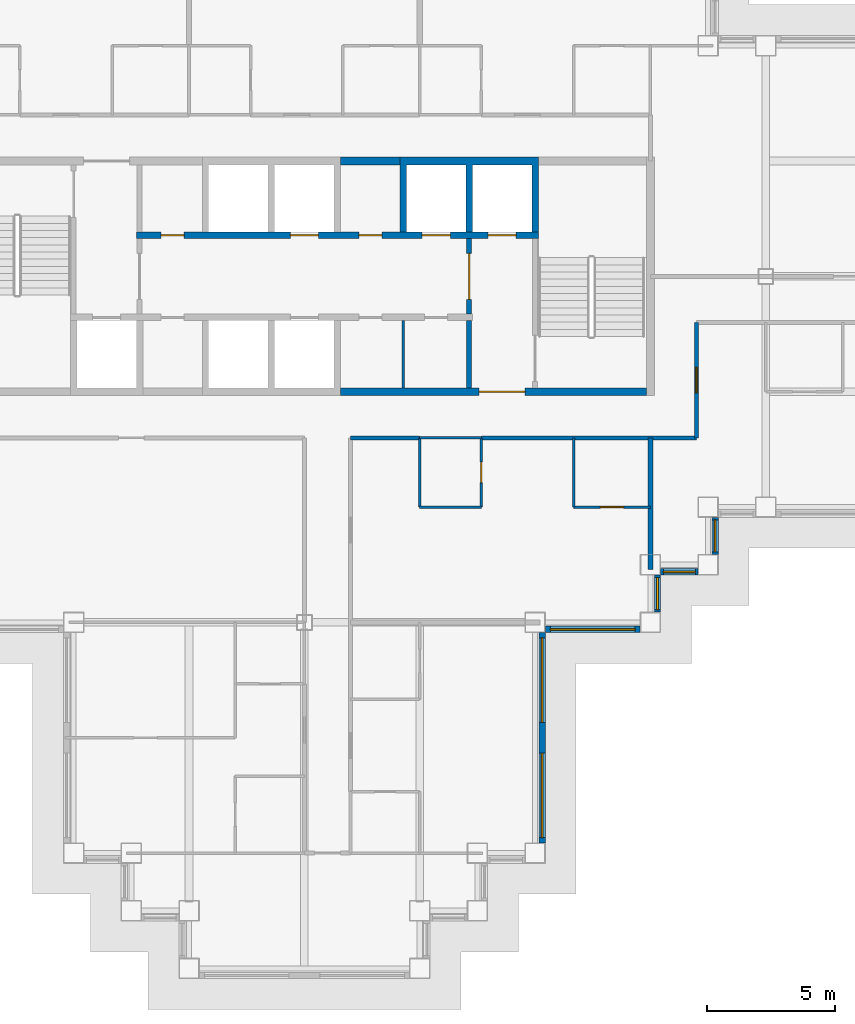
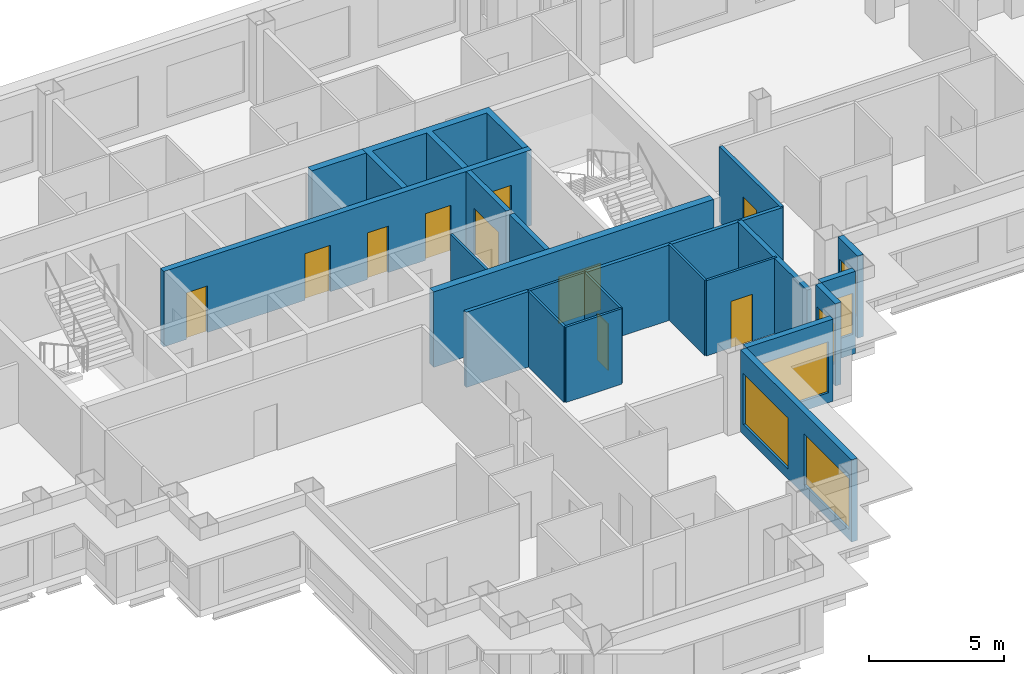
# One storey, part 6 of 13: 22 walls, 10 doors, 6 windows, 16 openings.
"""IFC4 building model written with IfcOpenShell, lengths in metres."""

from ifc_helpers import new_model, si_unit, direction, frame, frame_2d, origin, place, context, subcontext, project, spatial, polyline, rectangle, outline, extrude, material, layer, layer_set, type_object, element, fill, save


model = new_model("IFC4")

# Units and contexts
model_context = context("Model", 3, precision=1e-05, world=origin(), true_north=direction((0.0, 1.0)))
body_context = subcontext(model_context, "Body", "Model", "MODEL_VIEW")
ifc_project = project(units=[si_unit("LENGTHUNIT", "METRE"), si_unit("AREAUNIT", "SQUARE_METRE"), si_unit("VOLUMEUNIT", "CUBIC_METRE"), si_unit("PLANEANGLEUNIT", "RADIAN"), si_unit("MASSUNIT", "GRAM", prefix="KILO")], contexts=[model_context])

# Site, building, storey
site_placement = place(None, origin())
site = spatial("IfcSite", under=ifc_project, at=site_placement, CompositionType="ELEMENT")
building_placement = place(site_placement, origin())
building = spatial("IfcBuilding", under=site, at=building_placement, Name="Caravel Reach Hotel and Residences", CompositionType="ELEMENT")
storey_placement = place(building_placement, frame((0.0, 0.0, 154.300048828125)))
storey = spatial("IfcBuildingStorey", under=building, at=storey_placement, Name="L38", CompositionType="ELEMENT", Elevation=154.300048828125)

# Walls
ifc_material_1 = material(Name="Gypsum board on steel stud", Category="steel")
ifc_layer_1 = layer(ifc_material_1, 0.10009765625)
ifc_layer_set_1 = layer_set([ifc_layer_1], Name="Bathroom pod wall 100 mm")
wall_type_1 = type_object("IfcWallType", Name="Bathroom pod wall 100 mm", PredefinedType="PARTITIONING", material=ifc_layer_set_1)
for number, where, z_axis, x_axis, name in (
    (1, (36.0, 18.0, 0.0), (0.0, 0.0, 1.0), (1.0, 0.0, 0.0), "L38 wall w082"),
    (2, (36.0, 20.699951171875, 0.0), (0.0, 0.0, 1.0), (1.0, 0.0, 0.0), "L38 wall w083"),
):
    element("IfcWall", number, at=place(storey_placement, frame(where, z_axis=z_axis, x_axis=x_axis)), inside=storey, type_object=wall_type_1, Name=name, PredefinedType="PARTITIONING", context=body_context, shape_type="SweptSolid", body=[
        extrude(rectangle(XDim=2.39990234375, YDim=0.10009765625, at=frame_2d((1.199951171875, 0.0))), origin(), (0.0, 0.0, 1.0), 3.39990234375),
    ])
wall_1_placement = place(storey_placement, frame((36.0, 18.0, 0.0), z_axis=(0.0, 0.0, 1.0), x_axis=(0.0, 1.0, 0.0)))
element("IfcWall", 3, at=wall_1_placement, inside=storey, type_object=wall_type_1, Name="L38 wall w107", PredefinedType="PARTITIONING", context=body_context, shape_type="SweptSolid", body=[
    extrude(rectangle(XDim=2.698974609375, YDim=0.10009765625, at=frame_2d((1.349609375, 0.0))), origin(), (0.0, 0.0, 1.0), 3.39990234375),
])

# Wall, opening, door
wall_2_placement = place(storey_placement, frame((38.39990234375, 18.0, 0.0), z_axis=(0.0, 0.0, 1.0), x_axis=(0.0, 1.0, 0.0)))
wall_2 = element("IfcWall", 4, at=wall_2_placement, inside=storey, type_object=wall_type_1, Name="L38 wall w109", PredefinedType="PARTITIONING", context=body_context, shape_type="SweptSolid", body=[
    extrude(rectangle(XDim=2.699951171875, YDim=0.10009765625, at=frame_2d((1.35009765625, 0.0))), origin(), (0.0, 0.0, 1.0), 3.39990234375),
])
opening_1_placement = place(wall_2_placement, frame((0.949951171875, 0.0, 0.0)))
opening_1 = element("IfcOpeningElement", 5, at=opening_1_placement, cuts=wall_2, Name="Opening D38-037", PredefinedType="OPENING", context=body_context, shape_type="SweptSolid", body=[
    extrude(rectangle(XDim=0.800048828125, YDim=2.10009765625, at=frame_2d((0.39990234375, 1.050048828125))), frame((0.0, 0.06005859375, 0.0), z_axis=(0.0, -1.0, 0.0), x_axis=(1.0, 0.0, 0.0)), (0.0, 0.0, 1.0), 0.1201171875),
])
ifc_material_2 = material(Name="Timber and steel door leaf", Category="steel")
door_type_1 = type_object("IfcDoorType", Name="Bathroom door 800 x 2100", OperationType="SINGLE_SWING_LEFT", PredefinedType="DOOR", material=ifc_material_2)
door_1_placement = place(opening_1_placement, origin())
door_1 = element("IfcDoor", 6, at=door_1_placement, inside=storey, type_object=door_type_1, Name="door D38-037", OperationType="SINGLE_SWING_LEFT", OverallHeight=2.10009765625, OverallWidth=0.800048828125, PredefinedType="DOOR", context=body_context, shape_type="SweptSolid", body=[
    extrude(rectangle(XDim=0.800048828125, YDim=2.10009765625, at=frame_2d((0.39990234375, 1.050048828125))), frame((0.0, 0.02490234375, 0.0), z_axis=(0.0, -1.0, 0.0), x_axis=(1.0, 0.0, 0.0)), (0.0, 0.0, 1.0), 0.050048828125),
])
fill(opening_1, door_1)

# Wall
ifc_material_3 = material(Name="Autoclaved aerated block wall")
ifc_layer_2 = layer(ifc_material_3, 0.199951171875)
ifc_layer_set_2 = layer_set([ifc_layer_2], Name="Compartment wall 200 mm EI 120")
wall_type_2 = type_object("IfcWallType", Name="Compartment wall 200 mm EI 120", PredefinedType="PARTITIONING", material=ifc_layer_set_2)
wall_3_placement = place(storey_placement, frame((37.928466796875, 22.64990234375, 0.0), z_axis=(0.0, 0.0, 1.0), x_axis=(0.0, 1.0, 0.0)))
element("IfcWall", 7, at=wall_3_placement, inside=storey, type_object=wall_type_2, Name="L38 store partition", PredefinedType="PARTITIONING", context=body_context, shape_type="SweptSolid", body=[
    extrude(rectangle(XDim=2.625, YDim=0.199951171875, at=frame_2d((1.3125, 0.0))), origin(), (0.0, 0.0, 1.0), 3.39990234375),
])

# Wall, opening, door
ifc_material_4 = material(Name="Concrete C60", Category="concrete")
ifc_layer_3 = layer(ifc_material_4, 0.300048828125)
ifc_layer_set_3 = layer_set([ifc_layer_3], Name="Core wall 300 mm EI 120")
wall_type_3 = type_object("IfcWallType", Name="Core wall 300 mm EI 120", PredefinedType="SHEAR", material=ifc_layer_set_3)
wall_4_placement = place(storey_placement, frame((32.91064453125, 22.5, 0.0), z_axis=(0.0, 0.0, 1.0), x_axis=(1.0, 0.0, 0.0)))
wall_4 = element("IfcWall", 8, at=wall_4_placement, inside=storey, type_object=wall_type_3, Name="L38 core wall S3", PredefinedType="SHEAR", context=body_context, shape_type="SweptSolid", body=[
    extrude(rectangle(XDim=11.939453125, YDim=0.300048828125, at=frame_2d((5.9697265625, 0.0))), origin(), (0.0, 0.0, 1.0), 3.39990234375),
])
opening_2_placement = place(wall_4_placement, frame((5.403564453125, 0.0, 0.0)))
opening_2 = element("IfcOpeningElement", 9, at=opening_2_placement, cuts=wall_4, Name="Opening D38-016", PredefinedType="OPENING", context=body_context, shape_type="SweptSolid", body=[
    extrude(rectangle(XDim=1.800048828125, YDim=2.10009765625, at=frame_2d((0.89990234375, 1.050048828125))), frame((0.0, 0.159912109375, 0.0), z_axis=(0.0, -1.0, 0.0), x_axis=(1.0, 0.0, 0.0)), (0.0, 0.0, 1.0), 0.320068359375),
])
ifc_material_5 = material(Name="Steel fire door leaf", Category="steel")
door_type_2 = type_object("IfcDoorType", Name="Fire lobby door pair 1800 x 2100 EI 90", OperationType="DOUBLE_DOOR_SINGLE_SWING", PredefinedType="DOOR", material=ifc_material_5)
door_2_placement = place(opening_2_placement, origin())
door_2 = element("IfcDoor", 10, at=door_2_placement, inside=storey, type_object=door_type_2, Name="lobby S door pair to corridor", OperationType="DOUBLE_DOOR_SINGLE_SWING", OverallHeight=2.10009765625, OverallWidth=1.800048828125, PredefinedType="DOOR", context=body_context, shape_type="SweptSolid", body=[
    extrude(rectangle(XDim=1.800048828125, YDim=2.10009765625, at=frame_2d((0.89990234375, 1.050048828125))), frame((0.0, 0.02490234375, 0.0), z_axis=(0.0, -1.0, 0.0), x_axis=(1.0, 0.0, 0.0)), (0.0, 0.0, 1.0), 0.050048828125),
])
fill(opening_2, door_2)

# Walls
wall_5_placement = place(storey_placement, frame((32.91064453125, 31.5, 0.0), z_axis=(0.0, 0.0, 1.0), x_axis=(1.0, 0.0, 0.0)))
element("IfcWall", 11, at=wall_5_placement, inside=storey, type_object=wall_type_3, Name="L38 core wall N2", PredefinedType="SHEAR", context=body_context, shape_type="SweptSolid", body=[
    extrude(rectangle(XDim=2.321533203125, YDim=0.300048828125, at=frame_2d((1.16064453125, 0.0))), origin(), (0.0, 0.0, 1.0), 3.39990234375),
])
ifc_material_6 = material(Name="Gypsum board on steel stud, fire-rated", Category="steel")
ifc_layer_4 = layer(ifc_material_6, 0.14990234375)
ifc_layer_set_4 = layer_set([ifc_layer_4], Name="Corridor wall 150 mm EI 60")
wall_type_4 = type_object("IfcWallType", Name="Corridor wall 150 mm EI 60", PredefinedType="PARTITIONING", material=ifc_layer_set_4)
wall_6_placement = place(storey_placement, frame((33.301025390625, 20.699951171875, 0.0), z_axis=(0.0, 0.0, 1.0), x_axis=(1.0, 0.0, 0.0)))
element("IfcWall", 12, at=wall_6_placement, inside=storey, type_object=wall_type_4, Name="L38 wall w002", PredefinedType="PARTITIONING", context=body_context, shape_type="SweptSolid", body=[
    extrude(rectangle(XDim=2.697998046875, YDim=0.14990234375, at=frame_2d((1.34912109375, 0.0))), origin(), (0.0, 0.0, 1.0), 3.39990234375),
])
wall_7_placement = place(storey_placement, frame((38.39990234375, 20.699951171875, 0.0), z_axis=(0.0, 0.0, 1.0), x_axis=(1.0, 0.0, 0.0)))
element("IfcWall", 13, at=wall_7_placement, inside=storey, type_object=wall_type_4, Name="L38 wall w003", PredefinedType="PARTITIONING", context=body_context, shape_type="SweptSolid", body=[
    extrude(rectangle(XDim=8.400146484375, YDim=0.14990234375, at=frame_2d((4.2001953125, 0.0))), origin(), (0.0, 0.0, 1.0), 3.39990234375),
])

# Wall, opening, door
wall_8_placement = place(storey_placement, frame((46.800048828125, 20.699951171875, 0.0), z_axis=(0.0, 0.0, 1.0), x_axis=(0.0, 1.0, 0.0)))
wall_8 = element("IfcWall", 14, at=wall_8_placement, inside=storey, type_object=wall_type_4, Name="L38 wall w032", PredefinedType="PARTITIONING", context=body_context, shape_type="SweptSolid", body=[
    extrude(rectangle(XDim=4.4990234375, YDim=0.14990234375, at=frame_2d((2.24951171875, 0.0))), origin(), (0.0, 0.0, 1.0), 3.39990234375),
])
opening_3_placement = place(wall_8_placement, frame((1.74951171875, 0.0, 0.0)))
opening_3 = element("IfcOpeningElement", 15, at=opening_3_placement, cuts=wall_8, Name="Opening D38-031", PredefinedType="OPENING", context=body_context, shape_type="SweptSolid", body=[
    extrude(rectangle(XDim=1.0, YDim=2.199951171875, at=frame_2d((0.5, 1.10009765625))), frame((0.0, 0.0849609375, 0.0), z_axis=(0.0, -1.0, 0.0), x_axis=(1.0, 0.0, 0.0)), (0.0, 0.0, 1.0), 0.169921875),
])
ifc_material_7 = material(Name="Steel fire door leaf", Category="steel")
door_type_3 = type_object("IfcDoorType", Name="Flat entrance door 1000 x 2200 EI 60", OperationType="SINGLE_SWING_LEFT", PredefinedType="DOOR", material=ifc_material_7)
door_3_placement = place(opening_3_placement, origin())
door_3 = element("IfcDoor", 16, at=door_3_placement, inside=storey, type_object=door_type_3, Name="door D38-031", OperationType="SINGLE_SWING_RIGHT", OverallHeight=2.199951171875, OverallWidth=1.0, PredefinedType="DOOR", context=body_context, shape_type="SweptSolid", body=[
    extrude(rectangle(XDim=1.0, YDim=2.199951171875, at=frame_2d((0.5, 1.10009765625))), frame((0.0, 0.02490234375, 0.0), z_axis=(0.0, -1.0, 0.0), x_axis=(1.0, 0.0, 0.0)), (0.0, 0.0, 1.0), 0.050048828125),
])
fill(opening_3, door_3)

# Wall, openings, windows
ifc_material_8 = material(Name="Insulated rainscreen wall, aluminium cladding", Category="aluminium")
ifc_layer_5 = layer(ifc_material_8, 0.25)
ifc_layer_set_5 = layer_set([ifc_layer_5], Name="EW1 Tower rainscreen wall")
wall_type_5 = type_object("IfcWallType", Name="EW1 Tower rainscreen wall", PredefinedType="SOLIDWALL", material=ifc_layer_set_5)
wall_9_placement = place(storey_placement, frame((40.77490234375, 4.89990234375, 0.0), z_axis=(0.0, 0.0, 1.0), x_axis=(0.0, 1.0, 0.0)))
wall_9 = element("IfcWall", 17, at=wall_9_placement, inside=storey, type_object=wall_type_5, Name="External wall L38 E10.1", PredefinedType="SOLIDWALL", context=body_context, shape_type="SweptSolid", body=[
    extrude(rectangle(XDim=8.2001953125, YDim=0.25, at=frame_2d((4.10009765625, 0.0))), origin(), (0.0, 0.0, 1.0), 3.699951171875),
])
opening_4_placement = place(wall_9_placement, frame((0.199951171875, 0.0, 0.449951171875)))
opening_4 = element("IfcOpeningElement", 18, at=opening_4_placement, cuts=wall_9, Name="Opening WN15", PredefinedType="OPENING", context=body_context, shape_type="SweptSolid", body=[
    extrude(rectangle(XDim=3.300048828125, YDim=2.300048828125, at=frame_2d((1.64990234375, 1.14990234375))), frame((0.0, 0.135009765625, 0.0), z_axis=(0.0, -1.0, 0.0), x_axis=(1.0, 0.0, 0.0)), (0.0, 0.0, 1.0), 0.27001953125),
])
opening_5_placement = place(wall_9_placement, frame((4.699951171875, 0.0, 0.449951171875)))
opening_5 = element("IfcOpeningElement", 19, at=opening_5_placement, cuts=wall_9, Name="Opening WN15", PredefinedType="OPENING", context=body_context, shape_type="SweptSolid", body=[
    extrude(rectangle(XDim=3.300048828125, YDim=2.300048828125, at=frame_2d((1.64990234375, 1.14990234375))), frame((0.0, 0.135009765625, 0.0), z_axis=(0.0, -1.0, 0.0), x_axis=(1.0, 0.0, 0.0)), (0.0, 0.0, 1.0), 0.27001953125),
])
ifc_material_9 = material(Name="Dark low-e glazing in black aluminium frame", Category="aluminium")
window_type_1 = type_object("IfcWindowType", Name="Residence living window 3300 x 2300", PartitioningType="SINGLE_PANEL", PredefinedType="WINDOW", material=ifc_material_9)
window_1_placement = place(opening_4_placement, origin())
window_1 = element("IfcWindow", 20, at=window_1_placement, inside=storey, type_object=window_type_1, Name="Window L38 E10.1.1", OverallHeight=2.300048828125, OverallWidth=3.300048828125, PartitioningType="SINGLE_PANEL", PredefinedType="WINDOW", context=body_context, shape_type="SweptSolid", body=[
    extrude(rectangle(XDim=3.300048828125, YDim=2.300048828125, at=frame_2d((1.64990234375, 1.14990234375))), frame((0.0, 0.030029296875, 0.0), z_axis=(0.0, -1.0, 0.0), x_axis=(1.0, 0.0, 0.0)), (0.0, 0.0, 1.0), 0.06005859375),
])
fill(opening_4, window_1)
window_2_placement = place(opening_5_placement, origin())
window_2 = element("IfcWindow", 21, at=window_2_placement, inside=storey, type_object=window_type_1, Name="Window L38 E10.1.2", OverallHeight=2.300048828125, OverallWidth=3.300048828125, PartitioningType="SINGLE_PANEL", PredefinedType="WINDOW", context=body_context, shape_type="SweptSolid", body=[
    extrude(rectangle(XDim=3.300048828125, YDim=2.300048828125, at=frame_2d((1.64990234375, 1.14990234375))), frame((0.0, 0.030029296875, 0.0), z_axis=(0.0, -1.0, 0.0), x_axis=(1.0, 0.0, 0.0)), (0.0, 0.0, 1.0), 0.06005859375),
])
fill(opening_5, window_2)

# Wall, opening, window
wall_10_placement = place(storey_placement, frame((40.89990234375, 13.22509765625, 0.0), z_axis=(0.0, 0.0, 1.0), x_axis=(1.0, 0.0, 0.0)))
wall_10 = element("IfcWall", 22, at=wall_10_placement, inside=storey, type_object=wall_type_5, Name="External wall L38 S11.1", PredefinedType="SOLIDWALL", context=body_context, shape_type="SweptSolid", body=[
    extrude(rectangle(XDim=3.7001953125, YDim=0.25, at=frame_2d((1.85009765625, 0.0))), origin(), (0.0, 0.0, 1.0), 3.699951171875),
])
opening_6_placement = place(wall_10_placement, frame((0.199951171875, 0.0, 0.449951171875)))
opening_6 = element("IfcOpeningElement", 23, at=opening_6_placement, cuts=wall_10, Name="Opening WN15", PredefinedType="OPENING", context=body_context, shape_type="SweptSolid", body=[
    extrude(rectangle(XDim=3.300048828125, YDim=2.300048828125, at=frame_2d((1.64990234375, 1.14990234375))), frame((0.0, 0.135009765625, 0.0), z_axis=(0.0, -1.0, 0.0), x_axis=(1.0, 0.0, 0.0)), (0.0, 0.0, 1.0), 0.27001953125),
])
window_3_placement = place(opening_6_placement, origin())
window_3 = element("IfcWindow", 24, at=window_3_placement, inside=storey, type_object=window_type_1, Name="Window L38 S11.1.1", OverallHeight=2.300048828125, OverallWidth=3.300048828125, PartitioningType="SINGLE_PANEL", PredefinedType="WINDOW", context=body_context, shape_type="SweptSolid", body=[
    extrude(rectangle(XDim=3.300048828125, YDim=2.300048828125, at=frame_2d((1.64990234375, 1.14990234375))), frame((0.0, 0.030029296875, 0.0), z_axis=(0.0, -1.0, 0.0), x_axis=(1.0, 0.0, 0.0)), (0.0, 0.0, 1.0), 0.06005859375),
])
fill(opening_6, window_3)

wall_11_placement = place(storey_placement, frame((45.27490234375, 13.89990234375, 0.0), z_axis=(0.0, 0.0, 1.0), x_axis=(0.0, 1.0, 0.0)))
wall_11 = element("IfcWall", 25, at=wall_11_placement, inside=storey, type_object=wall_type_5, Name="External wall L38 E12.1", PredefinedType="SOLIDWALL", context=body_context, shape_type="SweptSolid", body=[
    extrude(rectangle(XDim=1.4501953125, YDim=0.25, at=frame_2d((0.72509765625, 0.0))), origin(), (0.0, 0.0, 1.0), 3.699951171875),
])
opening_7_placement = place(wall_11_placement, frame((0.10009765625, 0.0, 0.89990234375)))
opening_7 = element("IfcOpeningElement", 26, at=opening_7_placement, cuts=wall_11, Name="Opening WN13", PredefinedType="OPENING", context=body_context, shape_type="SweptSolid", body=[
    extrude(rectangle(XDim=1.25, YDim=1.85009765625, at=frame_2d((0.625, 0.925048828125))), frame((0.0, 0.135009765625, 0.0), z_axis=(0.0, -1.0, 0.0), x_axis=(1.0, 0.0, 0.0)), (0.0, 0.0, 1.0), 0.27001953125),
])
ifc_material_10 = material(Name="Dark low-e glazing in black aluminium frame", Category="aluminium")
window_type_2 = type_object("IfcWindowType", Name="Residence bedroom window 1250 x 1850", PartitioningType="SINGLE_PANEL", PredefinedType="WINDOW", material=ifc_material_10)
window_4_placement = place(opening_7_placement, origin())
window_4 = element("IfcWindow", 27, at=window_4_placement, inside=storey, type_object=window_type_2, Name="Window L38 E12.1.1", OverallHeight=1.85009765625, OverallWidth=1.25, PartitioningType="SINGLE_PANEL", PredefinedType="WINDOW", context=body_context, shape_type="SweptSolid", body=[
    extrude(rectangle(XDim=1.25, YDim=1.85009765625, at=frame_2d((0.625, 0.925048828125))), frame((0.0, 0.030029296875, 0.0), z_axis=(0.0, -1.0, 0.0), x_axis=(1.0, 0.0, 0.0)), (0.0, 0.0, 1.0), 0.06005859375),
])
fill(opening_7, window_4)

wall_12_placement = place(storey_placement, frame((45.39990234375, 15.47509765625, 0.0), z_axis=(0.0, 0.0, 1.0), x_axis=(1.0, 0.0, 0.0)))
wall_12 = element("IfcWall", 28, at=wall_12_placement, inside=storey, type_object=wall_type_5, Name="External wall L38 S13.1", PredefinedType="SOLIDWALL", context=body_context, shape_type="SweptSolid", body=[
    extrude(rectangle(XDim=1.4501953125, YDim=0.25, at=frame_2d((0.72509765625, 0.0))), origin(), (0.0, 0.0, 1.0), 3.699951171875),
])
opening_8_placement = place(wall_12_placement, frame((0.10009765625, 0.0, 0.89990234375)))
opening_8 = element("IfcOpeningElement", 29, at=opening_8_placement, cuts=wall_12, Name="Opening WN13", PredefinedType="OPENING", context=body_context, shape_type="SweptSolid", body=[
    extrude(rectangle(XDim=1.25, YDim=1.85009765625, at=frame_2d((0.625, 0.925048828125))), frame((0.0, 0.135009765625, 0.0), z_axis=(0.0, -1.0, 0.0), x_axis=(1.0, 0.0, 0.0)), (0.0, 0.0, 1.0), 0.27001953125),
])
window_5_placement = place(opening_8_placement, origin())
window_5 = element("IfcWindow", 30, at=window_5_placement, inside=storey, type_object=window_type_2, Name="Window L38 S13.1.1", OverallHeight=1.85009765625, OverallWidth=1.25, PartitioningType="SINGLE_PANEL", PredefinedType="WINDOW", context=body_context, shape_type="SweptSolid", body=[
    extrude(rectangle(XDim=1.25, YDim=1.85009765625, at=frame_2d((0.625, 0.925048828125))), frame((0.0, 0.030029296875, 0.0), z_axis=(0.0, -1.0, 0.0), x_axis=(1.0, 0.0, 0.0)), (0.0, 0.0, 1.0), 0.06005859375),
])
fill(opening_8, window_5)

wall_13_placement = place(storey_placement, frame((47.52490234375, 16.14990234375, 0.0), z_axis=(0.0, 0.0, 1.0), x_axis=(0.0, 1.0, 0.0)))
wall_13 = element("IfcWall", 31, at=wall_13_placement, inside=storey, type_object=wall_type_5, Name="External wall L38 E14.1", PredefinedType="SOLIDWALL", context=body_context, shape_type="SweptSolid", body=[
    extrude(rectangle(XDim=1.4501953125, YDim=0.25, at=frame_2d((0.72509765625, 0.0))), origin(), (0.0, 0.0, 1.0), 3.699951171875),
])
opening_9_placement = place(wall_13_placement, frame((0.10009765625, 0.0, 0.89990234375)))
opening_9 = element("IfcOpeningElement", 32, at=opening_9_placement, cuts=wall_13, Name="Opening WN13", PredefinedType="OPENING", context=body_context, shape_type="SweptSolid", body=[
    extrude(rectangle(XDim=1.25, YDim=1.85009765625, at=frame_2d((0.625, 0.925048828125))), frame((0.0, 0.135009765625, 0.0), z_axis=(0.0, -1.0, 0.0), x_axis=(1.0, 0.0, 0.0)), (0.0, 0.0, 1.0), 0.27001953125),
])
window_6_placement = place(opening_9_placement, origin())
window_6 = element("IfcWindow", 33, at=window_6_placement, inside=storey, type_object=window_type_2, Name="Window L38 E14.1.1", OverallHeight=1.85009765625, OverallWidth=1.25, PartitioningType="SINGLE_PANEL", PredefinedType="WINDOW", context=body_context, shape_type="SweptSolid", body=[
    extrude(rectangle(XDim=1.25, YDim=1.85009765625, at=frame_2d((0.625, 0.925048828125))), frame((0.0, 0.030029296875, 0.0), z_axis=(0.0, -1.0, 0.0), x_axis=(1.0, 0.0, 0.0)), (0.0, 0.0, 1.0), 0.06005859375),
])
fill(opening_9, window_6)

# Wall, opening, door
ifc_material_11 = material(Name="Autoclaved aerated block wall")
ifc_layer_6 = layer(ifc_material_11, 0.199951171875)
ifc_layer_set_6 = layer_set([ifc_layer_6], Name="Fire lobby wall 200 mm EI 120")
wall_type_6 = type_object("IfcWallType", Name="Fire lobby wall 200 mm EI 120", PredefinedType="PARTITIONING", material=ifc_layer_set_6)
wall_14_placement = place(storey_placement, frame((37.928466796875, 25.52490234375, 0.0), z_axis=(0.0, 0.0, 1.0), x_axis=(0.0, 1.0, 0.0)))
wall_14 = element("IfcWall", 34, at=wall_14_placement, inside=storey, type_object=wall_type_6, Name="L38 lobby E wall", PredefinedType="PARTITIONING", context=body_context, shape_type="SweptSolid", body=[
    extrude(rectangle(XDim=2.9501953125, YDim=0.199951171875, at=frame_2d((1.47509765625, 0.0))), origin(), (0.0, 0.0, 1.0), 3.39990234375),
])
opening_10_placement = place(wall_14_placement, frame((0.574951171875, 0.0, 0.0)))
opening_10 = element("IfcOpeningElement", 35, at=opening_10_placement, cuts=wall_14, Name="Opening D38-014", PredefinedType="OPENING", context=body_context, shape_type="SweptSolid", body=[
    extrude(rectangle(XDim=1.800048828125, YDim=2.10009765625, at=frame_2d((0.89990234375, 1.050048828125))), frame((0.0, 0.10986328125, 0.0), z_axis=(0.0, -1.0, 0.0), x_axis=(1.0, 0.0, 0.0)), (0.0, 0.0, 1.0), 0.219970703125),
])
door_4_placement = place(opening_10_placement, origin())
door_4 = element("IfcDoor", 36, at=door_4_placement, inside=storey, type_object=door_type_2, Name="lobby E door pair", OperationType="DOUBLE_DOOR_SINGLE_SWING", OverallHeight=2.10009765625, OverallWidth=1.800048828125, PredefinedType="DOOR", context=body_context, shape_type="SweptSolid", body=[
    extrude(rectangle(XDim=1.800048828125, YDim=2.10009765625, at=frame_2d((0.89990234375, 1.050048828125))), frame((0.0, 0.02490234375, 0.0), z_axis=(0.0, -1.0, 0.0), x_axis=(1.0, 0.0, 0.0)), (0.0, 0.0, 1.0), 0.050048828125),
])
fill(opening_10, door_4)

# Wall
ifc_material_12 = material(Name="Gypsum board on steel stud", Category="steel")
ifc_layer_7 = layer(ifc_material_12, 0.10009765625)
ifc_layer_set_7 = layer_set([ifc_layer_7], Name="Partition 100 mm")
wall_type_7 = type_object("IfcWallType", Name="Partition 100 mm", PredefinedType="PARTITIONING", material=ifc_layer_set_7)
wall_15_placement = place(storey_placement, frame((35.357177734375, 22.64990234375, 0.0), z_axis=(0.0, 0.0, 1.0), x_axis=(0.0, 1.0, 0.0)))
element("IfcWall", 37, at=wall_15_placement, inside=storey, type_object=wall_type_7, Name="L38 store partition", PredefinedType="PARTITIONING", context=body_context, shape_type="SweptSolid", body=[
    extrude(rectangle(XDim=2.625, YDim=0.10009765625, at=frame_2d((1.3125, 0.0))), origin(), (0.0, 0.0, 1.0), 3.39990234375),
])

# Wall, opening, door
wall_16_placement = place(storey_placement, frame((42.0, 18.0, 0.0), z_axis=(0.0, 0.0, 1.0), x_axis=(1.0, 0.0, 0.0)))
wall_16 = element("IfcWall", 38, at=wall_16_placement, inside=storey, type_object=wall_type_7, Name="L38 wall w036", PredefinedType="PARTITIONING", context=body_context, shape_type="SweptSolid", body=[
    extrude(rectangle(XDim=3.0, YDim=0.10009765625, at=frame_2d((1.5, 0.0))), origin(), (0.0, 0.0, 1.0), 3.39990234375),
])
opening_11_placement = place(wall_16_placement, frame((1.050048828125, 0.0, 0.0)))
opening_11 = element("IfcOpeningElement", 39, at=opening_11_placement, cuts=wall_16, Name="Opening D38-038", PredefinedType="OPENING", context=body_context, shape_type="SweptSolid", body=[
    extrude(rectangle(XDim=0.89990234375, YDim=2.10009765625, at=frame_2d((0.449951171875, 1.050048828125))), frame((0.0, 0.06005859375, 0.0), z_axis=(0.0, -1.0, 0.0), x_axis=(1.0, 0.0, 0.0)), (0.0, 0.0, 1.0), 0.1201171875),
])
ifc_material_13 = material(Name="Timber and steel door leaf", Category="steel")
door_type_4 = type_object("IfcDoorType", Name="Door 900 x 2100 timber", OperationType="SINGLE_SWING_LEFT", PredefinedType="DOOR", material=ifc_material_13)
door_5_placement = place(opening_11_placement, origin())
door_5 = element("IfcDoor", 40, at=door_5_placement, inside=storey, type_object=door_type_4, Name="door D38-038", OperationType="SINGLE_SWING_LEFT", OverallHeight=2.10009765625, OverallWidth=0.89990234375, PredefinedType="DOOR", context=body_context, shape_type="SweptSolid", body=[
    extrude(rectangle(XDim=0.89990234375, YDim=2.10009765625, at=frame_2d((0.449951171875, 1.050048828125))), frame((0.0, 0.02490234375, 0.0), z_axis=(0.0, -1.0, 0.0), x_axis=(1.0, 0.0, 0.0)), (0.0, 0.0, 1.0), 0.050048828125),
])
fill(opening_11, door_5)

# Walls
wall_17_placement = place(storey_placement, frame((42.0, 18.0, 0.0), z_axis=(0.0, 0.0, 1.0), x_axis=(0.0, 1.0, 0.0)))
element("IfcWall", 41, at=wall_17_placement, inside=storey, type_object=wall_type_7, Name="L38 wall w065", PredefinedType="PARTITIONING", context=body_context, shape_type="SweptSolid", body=[
    extrude(rectangle(XDim=2.699951171875, YDim=0.10009765625, at=frame_2d((1.35009765625, 0.0))), origin(), (0.0, 0.0, 1.0), 3.39990234375),
])
ifc_material_14 = material(Name="Autoclaved aerated block wall")
ifc_layer_8 = layer(ifc_material_14, 0.199951171875)
ifc_layer_set_8 = layer_set([ifc_layer_8], Name="Party wall 200 mm EI 60")
wall_type_8 = type_object("IfcWallType", Name="Party wall 200 mm EI 60", PredefinedType="PARTITIONING", material=ifc_layer_set_8)
wall_18_placement = place(storey_placement, frame((45.0, 15.56005859375, 0.0), z_axis=(0.0, 0.0, 1.0), x_axis=(0.0, 1.0, 0.0)))
element("IfcWall", 42, at=wall_18_placement, inside=storey, type_object=wall_type_8, Name="L38 wall w078", PredefinedType="PARTITIONING", context=body_context, shape_type="SweptSolid", body=[
    extrude(rectangle(XDim=5.138916015625, YDim=0.199951171875, at=frame_2d((2.5693359375, 0.0))), origin(), (0.0, 0.0, 1.0), 3.39990234375),
])
ifc_material_15 = material(Name="Concrete C60", Category="concrete")
ifc_layer_9 = layer(ifc_material_15, 0.25)
ifc_layer_set_9 = layer_set([ifc_layer_9], Name="Shaft wall 250 mm EI 120")
wall_type_9 = type_object("IfcWallType", Name="Shaft wall 250 mm EI 120", PredefinedType="SHEAR", material=ifc_layer_set_9)
wall_19_placement = place(storey_placement, origin())
element("IfcWall", 43, at=wall_19_placement, inside=storey, type_object=wall_type_9, Name="L38 lift shaft wall N2", PredefinedType="SHEAR", context=body_context, shape_type="SweptSolid", body=[
    extrude(outline(polyline([(35.232177734375, 28.72509765625), (35.482177734375, 28.72509765625), (35.482177734375, 31.35009765625), (37.803466796875, 31.35009765625), (37.803466796875, 28.72509765625), (38.053466796875, 28.72509765625), (38.053466796875, 31.35009765625), (40.375, 31.35009765625), (40.375, 28.72509765625), (40.625, 28.72509765625), (40.625, 31.64990234375), (35.232177734375, 31.64990234375), (35.232177734375, 28.72509765625)])), origin(), (0.0, 0.0, 1.0), 3.39990234375),
])

# Wall, openings, doors
wall_20_placement = place(storey_placement, frame((24.946533203125, 28.60009765625, 0.0), z_axis=(0.0, 0.0, 1.0), x_axis=(1.0, 0.0, 0.0)))
wall_20 = element("IfcWall", 44, at=wall_20_placement, inside=storey, type_object=wall_type_9, Name="L38 lobby wall N1", PredefinedType="SHEAR", context=body_context, shape_type="SweptSolid", body=[
    extrude(rectangle(XDim=15.678466796875, YDim=0.25, at=frame_2d((7.83935546875, 0.0))), origin(), (0.0, 0.0, 1.0), 3.39990234375),
])
opening_12_placement = place(wall_20_placement, frame((6.003662109375, 0.0, 0.0)))
opening_12 = element("IfcOpeningElement", 45, at=opening_12_placement, cuts=wall_20, Name="Opening D38-002", PredefinedType="OPENING", context=body_context, shape_type="SweptSolid", body=[
    extrude(rectangle(XDim=1.10009765625, YDim=2.10009765625, at=frame_2d((0.550048828125, 1.050048828125))), frame((0.0, 0.135009765625, 0.0), z_axis=(0.0, -1.0, 0.0), x_axis=(1.0, 0.0, 0.0)), (0.0, 0.0, 1.0), 0.27001953125),
])
opening_13_placement = place(wall_20_placement, frame((11.146484375, 0.0, 0.0)))
opening_13 = element("IfcOpeningElement", 46, at=opening_13_placement, cuts=wall_20, Name="Opening D38-003", PredefinedType="OPENING", context=body_context, shape_type="SweptSolid", body=[
    extrude(rectangle(XDim=1.10009765625, YDim=2.10009765625, at=frame_2d((0.550048828125, 1.050048828125))), frame((0.0, 0.135009765625, 0.0), z_axis=(0.0, -1.0, 0.0), x_axis=(1.0, 0.0, 0.0)), (0.0, 0.0, 1.0), 0.27001953125),
])
opening_14_placement = place(wall_20_placement, frame((13.718017578125, 0.0, 0.0)))
opening_14 = element("IfcOpeningElement", 47, at=opening_14_placement, cuts=wall_20, Name="Opening D38-005", PredefinedType="OPENING", context=body_context, shape_type="SweptSolid", body=[
    extrude(rectangle(XDim=1.10009765625, YDim=2.10009765625, at=frame_2d((0.550048828125, 1.050048828125))), frame((0.0, 0.135009765625, 0.0), z_axis=(0.0, -1.0, 0.0), x_axis=(1.0, 0.0, 0.0)), (0.0, 0.0, 1.0), 0.27001953125),
])
opening_15_placement = place(wall_20_placement, frame((0.960693359375, 0.0, 0.0)))
opening_15 = element("IfcOpeningElement", 48, at=opening_15_placement, cuts=wall_20, Name="Opening D38-009", PredefinedType="OPENING", context=body_context, shape_type="SweptSolid", body=[
    extrude(rectangle(XDim=0.89990234375, YDim=2.10009765625, at=frame_2d((0.449951171875, 1.050048828125))), frame((0.0, 0.135009765625, 0.0), z_axis=(0.0, -1.0, 0.0), x_axis=(1.0, 0.0, 0.0)), (0.0, 0.0, 1.0), 0.27001953125),
])
opening_16_placement = place(wall_20_placement, frame((8.675048828125, 0.0, 0.0)))
opening_16 = element("IfcOpeningElement", 49, at=opening_16_placement, cuts=wall_20, Name="Opening D38-010", PredefinedType="OPENING", context=body_context, shape_type="SweptSolid", body=[
    extrude(rectangle(XDim=0.89990234375, YDim=2.10009765625, at=frame_2d((0.449951171875, 1.050048828125))), frame((0.0, 0.135009765625, 0.0), z_axis=(0.0, -1.0, 0.0), x_axis=(1.0, 0.0, 0.0)), (0.0, 0.0, 1.0), 0.27001953125),
])
ifc_material_16 = material(Name="Stainless steel landing door", Category="steel")
door_type_5 = type_object("IfcDoorType", Name="Landing door LD 1100 x 2100 sliding", OperationType="DOUBLE_DOOR_SLIDING", PredefinedType="DOOR", material=ifc_material_16)
door_6_placement = place(opening_12_placement, origin())
door_6 = element("IfcDoor", 50, at=door_6_placement, inside=storey, type_object=door_type_5, Name="MP2 landing door", OperationType="DOUBLE_DOOR_SLIDING", OverallHeight=2.10009765625, OverallWidth=1.10009765625, PredefinedType="DOOR", context=body_context, shape_type="SweptSolid", body=[
    extrude(rectangle(XDim=1.10009765625, YDim=2.10009765625, at=frame_2d((0.550048828125, 1.050048828125))), frame((0.0, 0.02490234375, 0.0), z_axis=(0.0, -1.0, 0.0), x_axis=(1.0, 0.0, 0.0)), (0.0, 0.0, 1.0), 0.050048828125),
])
fill(opening_12, door_6)
door_7_placement = place(opening_13_placement, origin())
door_7 = element("IfcDoor", 51, at=door_7_placement, inside=storey, type_object=door_type_5, Name="MP3 landing door", OperationType="DOUBLE_DOOR_SLIDING", OverallHeight=2.10009765625, OverallWidth=1.10009765625, PredefinedType="DOOR", context=body_context, shape_type="SweptSolid", body=[
    extrude(rectangle(XDim=1.10009765625, YDim=2.10009765625, at=frame_2d((0.550048828125, 1.050048828125))), frame((0.0, 0.02490234375, 0.0), z_axis=(0.0, -1.0, 0.0), x_axis=(1.0, 0.0, 0.0)), (0.0, 0.0, 1.0), 0.050048828125),
])
fill(opening_13, door_7)
door_8_placement = place(opening_14_placement, origin())
door_8 = element("IfcDoor", 52, at=door_8_placement, inside=storey, type_object=door_type_5, Name="FL2 landing door", OperationType="DOUBLE_DOOR_SLIDING", OverallHeight=2.10009765625, OverallWidth=1.10009765625, PredefinedType="DOOR", context=body_context, shape_type="SweptSolid", body=[
    extrude(rectangle(XDim=1.10009765625, YDim=2.10009765625, at=frame_2d((0.550048828125, 1.050048828125))), frame((0.0, 0.02490234375, 0.0), z_axis=(0.0, -1.0, 0.0), x_axis=(1.0, 0.0, 0.0)), (0.0, 0.0, 1.0), 0.050048828125),
])
fill(opening_14, door_8)
ifc_material_17 = material(Name="Steel fire door leaf", Category="steel")
door_type_6 = type_object("IfcDoorType", Name="Riser door 900 x 2100 EI 60", OperationType="SINGLE_SWING_LEFT", PredefinedType="DOOR", material=ifc_material_17)
door_9_placement = place(opening_15_placement, origin())
door_9 = element("IfcDoor", 53, at=door_9_placement, inside=storey, type_object=door_type_6, Name="Housekeeping store door", OperationType="SINGLE_SWING_LEFT", OverallHeight=2.10009765625, OverallWidth=0.89990234375, PredefinedType="DOOR", context=body_context, shape_type="SweptSolid", body=[
    extrude(rectangle(XDim=0.89990234375, YDim=2.10009765625, at=frame_2d((0.449951171875, 1.050048828125))), frame((0.0, 0.02490234375, 0.0), z_axis=(0.0, -1.0, 0.0), x_axis=(1.0, 0.0, 0.0)), (0.0, 0.0, 1.0), 0.050048828125),
])
fill(opening_15, door_9)
door_10_placement = place(opening_16_placement, origin())
door_10 = element("IfcDoor", 54, at=door_10_placement, inside=storey, type_object=door_type_6, Name="Mail store door", OperationType="SINGLE_SWING_LEFT", OverallHeight=2.10009765625, OverallWidth=0.89990234375, PredefinedType="DOOR", context=body_context, shape_type="SweptSolid", body=[
    extrude(rectangle(XDim=0.89990234375, YDim=2.10009765625, at=frame_2d((0.449951171875, 1.050048828125))), frame((0.0, 0.02490234375, 0.0), z_axis=(0.0, -1.0, 0.0), x_axis=(1.0, 0.0, 0.0)), (0.0, 0.0, 1.0), 0.050048828125),
])
fill(opening_16, door_10)

save(model, "model.ifc")
